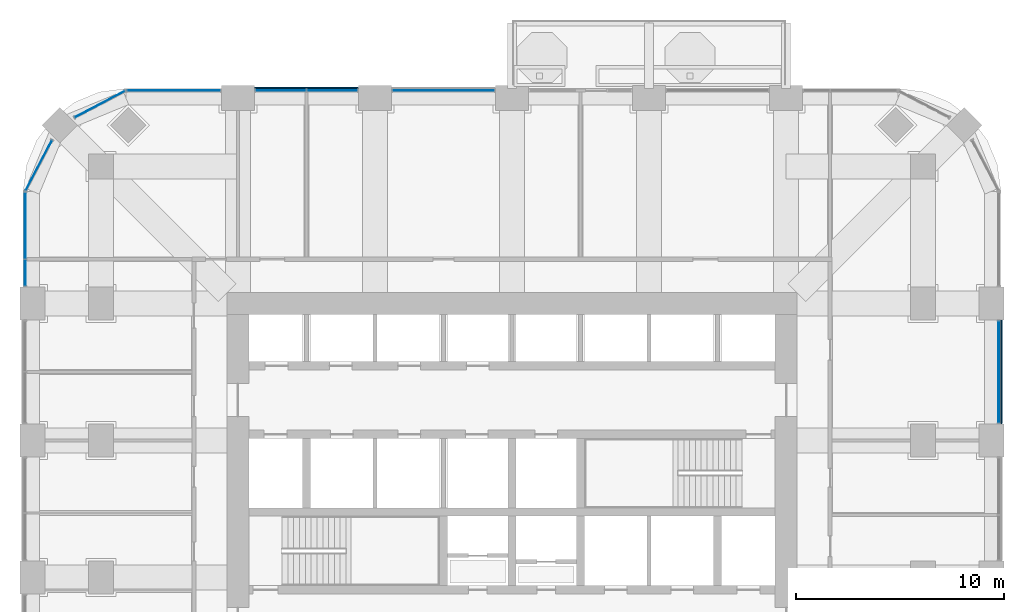
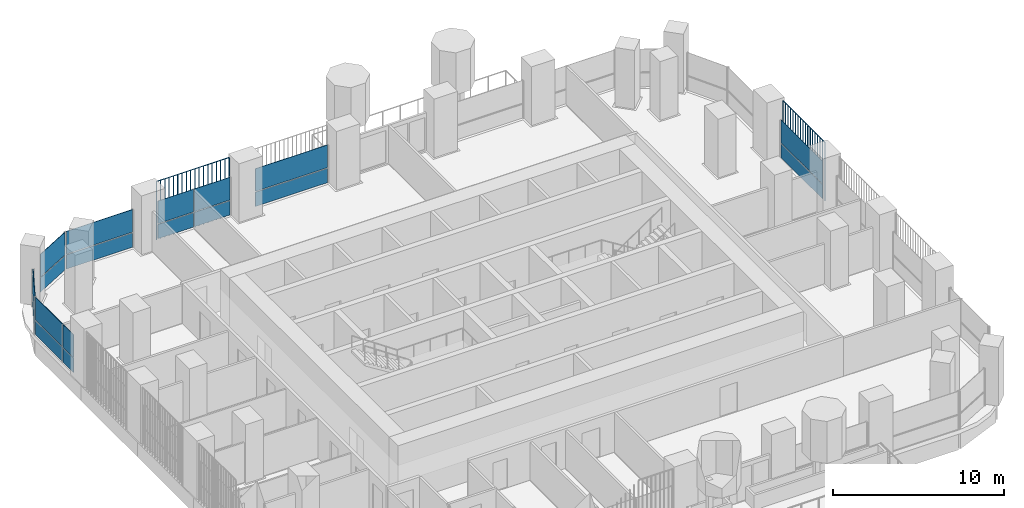
# One storey, part 11 of 19: 20 plates, 7 elements without a shape of their own.
"""IFC4 building model written with IfcOpenShell, lengths in metres."""

from ifc_helpers import new_model, si_unit, direction, frame, origin, origin_2d, place, context, subcontext, project, spatial, polyline, rectangle, outline, extrude, material, layer, layer_set, type_object, element, aggregate, save


model = new_model("IFC4")

# Units and contexts
model_context = context("Model", 3, precision=1e-05, world=origin(), true_north=direction((0.0, 1.0)))
body_context = subcontext(model_context, "Body", "Model", "MODEL_VIEW")
ifc_project = project(units=[si_unit("LENGTHUNIT", "METRE"), si_unit("AREAUNIT", "SQUARE_METRE"), si_unit("VOLUMEUNIT", "CUBIC_METRE"), si_unit("PLANEANGLEUNIT", "RADIAN"), si_unit("MASSUNIT", "GRAM", prefix="KILO")], contexts=[model_context])

# Site, building, storey
site_placement = place(None, origin())
site = spatial("IfcSite", under=ifc_project, at=site_placement, CompositionType="ELEMENT")
building_placement = place(site_placement, origin())
building = spatial("IfcBuilding", under=site, at=building_placement, Name="Cobogo Forest Laboratory Tower", CompositionType="ELEMENT")
storey_placement = place(building_placement, frame((0.0, 0.0, 164.10009765625)))
storey = spatial("IfcBuildingStorey", under=building, at=storey_placement, Name="L37", CompositionType="ELEMENT", Elevation=164.10009765625)

# Curtain wall, plates
ifc_material_1 = material(Name="Aluminium curtain wall", Category="aluminium")
curtain_wall_type = type_object("IfcCurtainWallType", Name="CW-2 unitised curtain wall, solar control glazing, laboratory floors zones C and D", PredefinedType="USERDEFINED", material=ifc_material_1)
curtain_wall_1_placement = place(storey_placement, origin())
curtain_wall_1 = element("IfcCurtainWall", 1, at=curtain_wall_1_placement, inside=storey, type_object=curtain_wall_type, Name="Curtain wall 12 L37", ObjectType="UNITISED CURTAIN WALL", PredefinedType="USERDEFINED")
ifc_material_2 = material(Name="Solar control insulated glass", Category="glass")
ifc_layer = layer(ifc_material_2, 0.031982421875)
ifc_layer_set = layer_set([ifc_layer], Name="GP-2 solar control glass unit 32")
plate_type_1 = type_object("IfcPlateType", Name="GP-2 solar control glass unit 32", PredefinedType="CURTAIN_PANEL", material=ifc_layer_set)
plate_1_placement = place(storey_placement, frame((49.85009765625, 29.699951171875, 0.0), z_axis=(0.0, 0.0, 1.0), x_axis=(0.0, 1.0, 0.0)))
plate_1 = element("IfcPlate", 2, at=plate_1_placement, type_object=plate_type_1, Name="CW-2 panel 1.1", PredefinedType="CURTAIN_PANEL", context=body_context, shape_type="SweptSolid", body=[
    extrude(rectangle(XDim=4.8798828125, YDim=0.031982421875, at=origin_2d()), origin(), (0.0, 0.0, 1.0), 1.02001953125),
])
plate_2_placement = place(storey_placement, frame((49.85009765625, 29.699951171875, 1.079833984375), z_axis=(0.0, 0.0, 1.0), x_axis=(0.0, 1.0, 0.0)))
plate_2 = element("IfcPlate", 3, at=plate_2_placement, type_object=plate_type_1, Name="CW-2 panel 1.2", PredefinedType="CURTAIN_PANEL", context=body_context, shape_type="SweptSolid", body=[
    extrude(rectangle(XDim=4.8798828125, YDim=0.031982421875, at=origin_2d()), origin(), (0.0, 0.0, 1.0), 1.6201171875),
])
aggregate(curtain_wall_1, [plate_1, plate_2])

curtain_wall_2_placement = place(storey_placement, origin())
curtain_wall_2 = element("IfcCurtainWall", 4, at=curtain_wall_2_placement, inside=storey, type_object=curtain_wall_type, Name="Curtain wall 19 L37", ObjectType="UNITISED CURTAIN WALL", PredefinedType="USERDEFINED")
plate_3_placement = place(storey_placement, frame((23.10009765625, 43.25, 0.0), z_axis=(0.0, 0.0, 1.0), x_axis=(-1.0, 0.0, 0.0)))
plate_3 = element("IfcPlate", 5, at=plate_3_placement, type_object=plate_type_1, Name="CW-2 panel 1.1", PredefinedType="CURTAIN_PANEL", context=body_context, shape_type="SweptSolid", body=[
    extrude(rectangle(XDim=4.8798828125, YDim=0.031982421875, at=origin_2d()), origin(), (0.0, 0.0, 1.0), 1.02001953125),
])
plate_4_placement = place(storey_placement, frame((23.10009765625, 43.25, 1.079833984375), z_axis=(0.0, 0.0, 1.0), x_axis=(-1.0, 0.0, 0.0)))
plate_4 = element("IfcPlate", 6, at=plate_4_placement, type_object=plate_type_1, Name="CW-2 panel 1.2", PredefinedType="CURTAIN_PANEL", context=body_context, shape_type="SweptSolid", body=[
    extrude(rectangle(XDim=4.8798828125, YDim=0.031982421875, at=origin_2d()), origin(), (0.0, 0.0, 1.0), 1.6201171875),
])
aggregate(curtain_wall_2, [plate_3, plate_4])

curtain_wall_3_placement = place(storey_placement, origin())
curtain_wall_3 = element("IfcCurtainWall", 7, at=curtain_wall_3_placement, inside=storey, type_object=curtain_wall_type, Name="Curtain wall 20 L37", ObjectType="UNITISED CURTAIN WALL", PredefinedType="USERDEFINED")
plate_5_placement = place(storey_placement, frame((17.735107421875, 43.25, 0.0), z_axis=(0.0, 0.0, 1.0), x_axis=(-1.0, 0.0, 0.0)))
plate_5 = element("IfcPlate", 8, at=plate_5_placement, type_object=plate_type_1, Name="CW-2 panel 1.1", PredefinedType="CURTAIN_PANEL", context=body_context, shape_type="SweptSolid", body=[
    extrude(rectangle(XDim=2.409912109375, YDim=0.031982421875, at=origin_2d()), origin(), (0.0, 0.0, 1.0), 1.02001953125),
])
plate_6_placement = place(storey_placement, frame((17.735107421875, 43.25, 1.079833984375), z_axis=(0.0, 0.0, 1.0), x_axis=(-1.0, 0.0, 0.0)))
plate_6 = element("IfcPlate", 9, at=plate_6_placement, type_object=plate_type_1, Name="CW-2 panel 1.2", PredefinedType="CURTAIN_PANEL", context=body_context, shape_type="SweptSolid", body=[
    extrude(rectangle(XDim=2.409912109375, YDim=0.031982421875, at=origin_2d()), origin(), (0.0, 0.0, 1.0), 1.6201171875),
])
plate_7_placement = place(storey_placement, frame((15.264892578125, 43.25, 0.0), z_axis=(0.0, 0.0, 1.0), x_axis=(-1.0, 0.0, 0.0)))
plate_7 = element("IfcPlate", 10, at=plate_7_placement, type_object=plate_type_1, Name="CW-2 panel 2.1", PredefinedType="CURTAIN_PANEL", context=body_context, shape_type="SweptSolid", body=[
    extrude(rectangle(XDim=2.409912109375, YDim=0.031982421875, at=origin_2d()), origin(), (0.0, 0.0, 1.0), 1.02001953125),
])
plate_8_placement = place(storey_placement, frame((15.264892578125, 43.25, 1.079833984375), z_axis=(0.0, 0.0, 1.0), x_axis=(-1.0, 0.0, 0.0)))
plate_8 = element("IfcPlate", 11, at=plate_8_placement, type_object=plate_type_1, Name="CW-2 panel 2.2", PredefinedType="CURTAIN_PANEL", context=body_context, shape_type="SweptSolid", body=[
    extrude(rectangle(XDim=2.409912109375, YDim=0.031982421875, at=origin_2d()), origin(), (0.0, 0.0, 1.0), 1.6201171875),
])
aggregate(curtain_wall_3, [plate_5, plate_6, plate_7, plate_8])

curtain_wall_4_placement = place(storey_placement, origin())
curtain_wall_4 = element("IfcCurtainWall", 12, at=curtain_wall_4_placement, inside=storey, type_object=curtain_wall_type, Name="Curtain wall 21 L37", ObjectType="UNITISED CURTAIN WALL", PredefinedType="USERDEFINED")
plate_9_placement = place(storey_placement, frame((10.10009765625, 43.25, 0.0), z_axis=(0.0, 0.0, 1.0), x_axis=(-1.0, 0.0, 0.0)))
plate_9 = element("IfcPlate", 13, at=plate_9_placement, type_object=plate_type_1, Name="CW-2 panel 1.1", PredefinedType="CURTAIN_PANEL", context=body_context, shape_type="SweptSolid", body=[
    extrude(rectangle(XDim=4.47998046875, YDim=0.031982421875, at=origin_2d()), origin(), (0.0, 0.0, 1.0), 1.02001953125),
])
plate_10_placement = place(storey_placement, frame((10.10009765625, 43.25, 1.079833984375), z_axis=(0.0, 0.0, 1.0), x_axis=(-1.0, 0.0, 0.0)))
plate_10 = element("IfcPlate", 14, at=plate_10_placement, type_object=plate_type_1, Name="CW-2 panel 1.2", PredefinedType="CURTAIN_PANEL", context=body_context, shape_type="SweptSolid", body=[
    extrude(rectangle(XDim=4.47998046875, YDim=0.031982421875, at=origin_2d()), origin(), (0.0, 0.0, 1.0), 1.6201171875),
])
aggregate(curtain_wall_4, [plate_9, plate_10])

curtain_wall_5_placement = place(storey_placement, origin())
curtain_wall_5 = element("IfcCurtainWall", 15, at=curtain_wall_5_placement, inside=storey, type_object=curtain_wall_type, Name="Curtain wall 22 L37", ObjectType="UNITISED CURTAIN WALL", PredefinedType="USERDEFINED")
plate_11_placement = place(storey_placement, frame((6.547607421875, 42.593505859375, 0.0), z_axis=(0.0, 0.0, 1.0), x_axis=(-0.885686477022, -0.464283818822, 0.0)))
plate_11 = element("IfcPlate", 16, at=plate_11_placement, type_object=plate_type_1, Name="CW-2 panel 1.1", PredefinedType="CURTAIN_PANEL", context=body_context, shape_type="SweptSolid", body=[
    extrude(rectangle(XDim=2.7080078125, YDim=0.031982421875, at=origin_2d()), origin(), (0.0, 0.0, 1.0), 1.02001953125),
])
plate_12_placement = place(storey_placement, frame((6.547607421875, 42.593505859375, 1.079833984375), z_axis=(0.0, 0.0, 1.0), x_axis=(-0.885686477022, -0.464283818822, 0.0)))
plate_12 = element("IfcPlate", 17, at=plate_12_placement, type_object=plate_type_1, Name="CW-2 panel 1.2", PredefinedType="CURTAIN_PANEL", context=body_context, shape_type="SweptSolid", body=[
    extrude(rectangle(XDim=2.7080078125, YDim=0.031982421875, at=origin_2d()), origin(), (0.0, 0.0, 1.0), 1.6201171875),
])
aggregate(curtain_wall_5, [plate_11, plate_12])

curtain_wall_6_placement = place(storey_placement, origin())
curtain_wall_6 = element("IfcCurtainWall", 18, at=curtain_wall_6_placement, inside=storey, type_object=curtain_wall_type, Name="Curtain wall 23 L37", ObjectType="UNITISED CURTAIN WALL", PredefinedType="USERDEFINED")
plate_13_placement = place(storey_placement, frame((3.6064453125, 39.65234375, 0.0), z_axis=(0.0, 0.0, 1.0), x_axis=(-0.464283818822, -0.885686477022, 0.0)))
plate_13 = element("IfcPlate", 19, at=plate_13_placement, type_object=plate_type_1, Name="CW-2 panel 1.1", PredefinedType="CURTAIN_PANEL", context=body_context, shape_type="SweptSolid", body=[
    extrude(rectangle(XDim=2.7080078125, YDim=0.031982421875, at=origin_2d()), origin(), (0.0, 0.0, 1.0), 1.02001953125),
])
plate_14_placement = place(storey_placement, frame((3.6064453125, 39.65234375, 1.079833984375), z_axis=(0.0, 0.0, 1.0), x_axis=(-0.464283818822, -0.885686477022, 0.0)))
plate_14 = element("IfcPlate", 20, at=plate_14_placement, type_object=plate_type_1, Name="CW-2 panel 1.2", PredefinedType="CURTAIN_PANEL", context=body_context, shape_type="SweptSolid", body=[
    extrude(rectangle(XDim=2.7080078125, YDim=0.031982421875, at=origin_2d()), origin(), (0.0, 0.0, 1.0), 1.6201171875),
])
aggregate(curtain_wall_6, [plate_13, plate_14])

curtain_wall_7_placement = place(storey_placement, origin())
curtain_wall_7 = element("IfcCurtainWall", 21, at=curtain_wall_7_placement, inside=storey, type_object=curtain_wall_type, Name="Curtain wall 24 L37", ObjectType="UNITISED CURTAIN WALL", PredefinedType="USERDEFINED")
plate_15_placement = place(storey_placement, frame((2.949951171875, 36.74755859375, 0.0), z_axis=(0.0, 0.0, 1.0), x_axis=(0.0, -1.0, 0.0)))
plate_15 = element("IfcPlate", 22, at=plate_15_placement, type_object=plate_type_1, Name="CW-2 panel 1.1", PredefinedType="CURTAIN_PANEL", context=body_context, shape_type="SweptSolid", body=[
    extrude(rectangle(XDim=3.18505859375, YDim=0.031982421875, at=origin_2d()), origin(), (0.0, 0.0, 1.0), 1.02001953125),
])
plate_16_placement = place(storey_placement, frame((2.949951171875, 36.74755859375, 1.079833984375), z_axis=(0.0, 0.0, 1.0), x_axis=(0.0, -1.0, 0.0)))
plate_16 = element("IfcPlate", 23, at=plate_16_placement, type_object=plate_type_1, Name="CW-2 panel 1.2", PredefinedType="CURTAIN_PANEL", context=body_context, shape_type="SweptSolid", body=[
    extrude(rectangle(XDim=3.18505859375, YDim=0.031982421875, at=origin_2d()), origin(), (0.0, 0.0, 1.0), 1.6201171875),
])
plate_17_placement = place(storey_placement, frame((2.949951171875, 34.4775390625, 0.0), z_axis=(0.0, 0.0, 1.0), x_axis=(0.0, -1.0, 0.0)))
plate_17 = element("IfcPlate", 24, at=plate_17_placement, type_object=plate_type_1, Name="CW-2 panel 2.1", PredefinedType="CURTAIN_PANEL", context=body_context, shape_type="SweptSolid", body=[
    extrude(rectangle(XDim=1.235107421875, YDim=0.031982421875, at=origin_2d()), origin(), (0.0, 0.0, 1.0), 1.02001953125),
])
plate_18_placement = place(storey_placement, frame((2.949951171875, 34.4775390625, 1.079833984375), z_axis=(0.0, 0.0, 1.0), x_axis=(0.0, -1.0, 0.0)))
plate_18 = element("IfcPlate", 25, at=plate_18_placement, type_object=plate_type_1, Name="CW-2 panel 2.2", PredefinedType="CURTAIN_PANEL", context=body_context, shape_type="SweptSolid", body=[
    extrude(rectangle(XDim=1.235107421875, YDim=0.031982421875, at=origin_2d()), origin(), (0.0, 0.0, 1.0), 1.6201171875),
])
aggregate(curtain_wall_7, [plate_15, plate_16, plate_17, plate_18])

# Plates
ifc_material_3 = material(Name="Terracotta", Category="masonry")
plate_type_2 = type_object("IfcPlateType", Name="TB1 terracotta baguette screen", PredefinedType="USERDEFINED", material=ifc_material_3)
plate_19_placement = place(storey_placement, frame((49.977783203125, 27.231201171875, -0.150146484375)))
element("IfcPlate", 26, at=plate_19_placement, inside=storey, type_object=plate_type_2, Name="Baguette screen E3 L37", ObjectType="BAGUETTE SCREEN", PredefinedType="USERDEFINED", context=body_context, shape_type="SweptSolid", body=[
    extrude(outline(polyline([(0.02880859375, 0.011962890625), (0.011962890625, 0.02880859375), (-0.011962890625, 0.02880859375), (-0.02880859375, 0.011962890625), (-0.02880859375, -0.011962890625), (-0.011962890625, -0.02880859375), (0.011962890625, -0.02880859375), (0.02880859375, -0.011962890625), (0.02880859375, 0.011962890625)])), frame((0.0, 0.0, 4.168701171875), z_axis=(0.0, 1.0, 0.0), x_axis=(-1.0, 0.0, 0.0)), (0.0, 0.0, 1.0), 4.9375),
    extrude(outline(polyline([(0.02880859375, 0.011962890625), (0.011962890625, 0.02880859375), (-0.011962890625, 0.02880859375), (-0.02880859375, 0.011962890625), (-0.02880859375, -0.011962890625), (-0.011962890625, -0.02880859375), (0.011962890625, -0.02880859375), (0.02880859375, -0.011962890625), (0.02880859375, 0.011962890625)])), origin(), (0.0, 0.0, 1.0), 4.137451171875),
    extrude(outline(polyline([(0.02880859375, 0.011962890625), (0.011962890625, 0.02880859375), (-0.011962890625, 0.02880859375), (-0.02880859375, 0.011962890625), (-0.02880859375, -0.011962890625), (-0.011962890625, -0.02880859375), (0.011962890625, -0.02880859375), (0.02880859375, -0.011962890625), (0.02880859375, 0.011962890625)])), frame((0.0, 0.29052734375, 0.0)), (0.0, 0.0, 1.0), 4.137451171875),
    extrude(outline(polyline([(0.02880859375, 0.011962890625), (0.011962890625, 0.02880859375), (-0.011962890625, 0.02880859375), (-0.02880859375, 0.011962890625), (-0.02880859375, -0.011962890625), (-0.011962890625, -0.02880859375), (0.011962890625, -0.02880859375), (0.02880859375, -0.011962890625), (0.02880859375, 0.011962890625)])), frame((0.0, 0.580810546875, 0.0)), (0.0, 0.0, 1.0), 4.137451171875),
    extrude(outline(polyline([(0.02880859375, 0.011962890625), (0.011962890625, 0.02880859375), (-0.011962890625, 0.02880859375), (-0.02880859375, 0.011962890625), (-0.02880859375, -0.011962890625), (-0.011962890625, -0.02880859375), (0.011962890625, -0.02880859375), (0.02880859375, -0.011962890625), (0.02880859375, 0.011962890625)])), frame((0.0, 0.871337890625, 0.0)), (0.0, 0.0, 1.0), 4.137451171875),
    extrude(outline(polyline([(0.02880859375, 0.011962890625), (0.011962890625, 0.02880859375), (-0.011962890625, 0.02880859375), (-0.02880859375, 0.011962890625), (-0.02880859375, -0.011962890625), (-0.011962890625, -0.02880859375), (0.011962890625, -0.02880859375), (0.02880859375, -0.011962890625), (0.02880859375, 0.011962890625)])), frame((0.0, 1.161865234375, 0.0)), (0.0, 0.0, 1.0), 4.137451171875),
    extrude(outline(polyline([(0.02880859375, 0.011962890625), (0.011962890625, 0.02880859375), (-0.011962890625, 0.02880859375), (-0.02880859375, 0.011962890625), (-0.02880859375, -0.011962890625), (-0.011962890625, -0.02880859375), (0.011962890625, -0.02880859375), (0.02880859375, -0.011962890625), (0.02880859375, 0.011962890625)])), frame((0.0, 1.4521484375, 0.0)), (0.0, 0.0, 1.0), 4.137451171875),
    extrude(outline(polyline([(0.02880859375, 0.011962890625), (0.011962890625, 0.02880859375), (-0.011962890625, 0.02880859375), (-0.02880859375, 0.011962890625), (-0.02880859375, -0.011962890625), (-0.011962890625, -0.02880859375), (0.011962890625, -0.02880859375), (0.02880859375, -0.011962890625), (0.02880859375, 0.011962890625)])), frame((0.0, 1.74267578125, 0.0)), (0.0, 0.0, 1.0), 4.137451171875),
    extrude(outline(polyline([(0.02880859375, 0.011962890625), (0.011962890625, 0.02880859375), (-0.011962890625, 0.02880859375), (-0.02880859375, 0.011962890625), (-0.02880859375, -0.011962890625), (-0.011962890625, -0.02880859375), (0.011962890625, -0.02880859375), (0.02880859375, -0.011962890625), (0.02880859375, 0.011962890625)])), frame((0.0, 2.033203125, 0.0)), (0.0, 0.0, 1.0), 4.137451171875),
    extrude(outline(polyline([(0.02880859375, 0.011962890625), (0.011962890625, 0.02880859375), (-0.011962890625, 0.02880859375), (-0.02880859375, 0.011962890625), (-0.02880859375, -0.011962890625), (-0.011962890625, -0.02880859375), (0.011962890625, -0.02880859375), (0.02880859375, -0.011962890625), (0.02880859375, 0.011962890625)])), frame((0.0, 2.323486328125, 0.0)), (0.0, 0.0, 1.0), 4.137451171875),
    extrude(outline(polyline([(0.02880859375, 0.011962890625), (0.011962890625, 0.02880859375), (-0.011962890625, 0.02880859375), (-0.02880859375, 0.011962890625), (-0.02880859375, -0.011962890625), (-0.011962890625, -0.02880859375), (0.011962890625, -0.02880859375), (0.02880859375, -0.011962890625), (0.02880859375, 0.011962890625)])), frame((0.0, 2.614013671875, 0.0)), (0.0, 0.0, 1.0), 4.137451171875),
    extrude(outline(polyline([(0.02880859375, 0.011962890625), (0.011962890625, 0.02880859375), (-0.011962890625, 0.02880859375), (-0.02880859375, 0.011962890625), (-0.02880859375, -0.011962890625), (-0.011962890625, -0.02880859375), (0.011962890625, -0.02880859375), (0.02880859375, -0.011962890625), (0.02880859375, 0.011962890625)])), frame((0.0, 2.904296875, 0.0)), (0.0, 0.0, 1.0), 4.137451171875),
    extrude(outline(polyline([(0.02880859375, 0.011962890625), (0.011962890625, 0.02880859375), (-0.011962890625, 0.02880859375), (-0.02880859375, 0.011962890625), (-0.02880859375, -0.011962890625), (-0.011962890625, -0.02880859375), (0.011962890625, -0.02880859375), (0.02880859375, -0.011962890625), (0.02880859375, 0.011962890625)])), frame((0.0, 3.19482421875, 0.0)), (0.0, 0.0, 1.0), 4.137451171875),
    extrude(outline(polyline([(0.02880859375, 0.011962890625), (0.011962890625, 0.02880859375), (-0.011962890625, 0.02880859375), (-0.02880859375, 0.011962890625), (-0.02880859375, -0.011962890625), (-0.011962890625, -0.02880859375), (0.011962890625, -0.02880859375), (0.02880859375, -0.011962890625), (0.02880859375, 0.011962890625)])), frame((0.0, 3.4853515625, 0.0)), (0.0, 0.0, 1.0), 4.137451171875),
    extrude(outline(polyline([(0.02880859375, 0.011962890625), (0.011962890625, 0.02880859375), (-0.011962890625, 0.02880859375), (-0.02880859375, 0.011962890625), (-0.02880859375, -0.011962890625), (-0.011962890625, -0.02880859375), (0.011962890625, -0.02880859375), (0.02880859375, -0.011962890625), (0.02880859375, 0.011962890625)])), frame((0.0, 3.775634765625, 0.0)), (0.0, 0.0, 1.0), 4.137451171875),
    extrude(outline(polyline([(0.02880859375, 0.011962890625), (0.011962890625, 0.02880859375), (-0.011962890625, 0.02880859375), (-0.02880859375, 0.011962890625), (-0.02880859375, -0.011962890625), (-0.011962890625, -0.02880859375), (0.011962890625, -0.02880859375), (0.02880859375, -0.011962890625), (0.02880859375, 0.011962890625)])), frame((0.0, 4.066162109375, 0.0)), (0.0, 0.0, 1.0), 4.137451171875),
    extrude(outline(polyline([(0.02880859375, 0.011962890625), (0.011962890625, 0.02880859375), (-0.011962890625, 0.02880859375), (-0.02880859375, 0.011962890625), (-0.02880859375, -0.011962890625), (-0.011962890625, -0.02880859375), (0.011962890625, -0.02880859375), (0.02880859375, -0.011962890625), (0.02880859375, 0.011962890625)])), frame((0.0, 4.356689453125, 0.0)), (0.0, 0.0, 1.0), 4.137451171875),
    extrude(outline(polyline([(0.02880859375, 0.011962890625), (0.011962890625, 0.02880859375), (-0.011962890625, 0.02880859375), (-0.02880859375, 0.011962890625), (-0.02880859375, -0.011962890625), (-0.011962890625, -0.02880859375), (0.011962890625, -0.02880859375), (0.02880859375, -0.011962890625), (0.02880859375, 0.011962890625)])), frame((0.0, 4.64697265625, 0.0)), (0.0, 0.0, 1.0), 4.137451171875),
    extrude(outline(polyline([(0.02880859375, 0.011962890625), (0.011962890625, 0.02880859375), (-0.011962890625, 0.02880859375), (-0.02880859375, 0.011962890625), (-0.02880859375, -0.011962890625), (-0.011962890625, -0.02880859375), (0.011962890625, -0.02880859375), (0.02880859375, -0.011962890625), (0.02880859375, 0.011962890625)])), frame((0.0, 4.9375, 0.0)), (0.0, 0.0, 1.0), 4.137451171875),
])
plate_20_placement = place(storey_placement, frame((14.03125, 43.3779296875, -0.150146484375)))
element("IfcPlate", 27, at=plate_20_placement, inside=storey, type_object=plate_type_2, Name="Baguette screen N1 L37", ObjectType="BAGUETTE SCREEN", PredefinedType="USERDEFINED", context=body_context, shape_type="SweptSolid", body=[
    extrude(outline(polyline([(0.02880859375, 0.011962890625), (0.011962890625, 0.02880859375), (-0.011962890625, 0.02880859375), (-0.02880859375, 0.011962890625), (-0.02880859375, -0.011962890625), (-0.011962890625, -0.02880859375), (0.011962890625, -0.02880859375), (0.02880859375, -0.011962890625), (0.02880859375, 0.011962890625)])), frame((0.0, 0.0, 4.168701171875), z_axis=(1.0, 0.0, 0.0), x_axis=(0.0, 1.0, 0.0)), (0.0, 0.0, 1.0), 4.9375),
    extrude(outline(polyline([(0.02880859375, 0.011962890625), (0.011962890625, 0.02880859375), (-0.011962890625, 0.02880859375), (-0.02880859375, 0.011962890625), (-0.02880859375, -0.011962890625), (-0.011962890625, -0.02880859375), (0.011962890625, -0.02880859375), (0.02880859375, -0.011962890625), (0.02880859375, 0.011962890625)])), origin(), (0.0, 0.0, 1.0), 4.137451171875),
    extrude(outline(polyline([(0.02880859375, 0.011962890625), (0.011962890625, 0.02880859375), (-0.011962890625, 0.02880859375), (-0.02880859375, 0.011962890625), (-0.02880859375, -0.011962890625), (-0.011962890625, -0.02880859375), (0.011962890625, -0.02880859375), (0.02880859375, -0.011962890625), (0.02880859375, 0.011962890625)])), frame((0.29052734375, 0.0, 0.0)), (0.0, 0.0, 1.0), 4.137451171875),
    extrude(outline(polyline([(0.02880859375, 0.011962890625), (0.011962890625, 0.02880859375), (-0.011962890625, 0.02880859375), (-0.02880859375, 0.011962890625), (-0.02880859375, -0.011962890625), (-0.011962890625, -0.02880859375), (0.011962890625, -0.02880859375), (0.02880859375, -0.011962890625), (0.02880859375, 0.011962890625)])), frame((0.580810546875, 0.0, 0.0)), (0.0, 0.0, 1.0), 4.137451171875),
    extrude(outline(polyline([(0.02880859375, 0.011962890625), (0.011962890625, 0.02880859375), (-0.011962890625, 0.02880859375), (-0.02880859375, 0.011962890625), (-0.02880859375, -0.011962890625), (-0.011962890625, -0.02880859375), (0.011962890625, -0.02880859375), (0.02880859375, -0.011962890625), (0.02880859375, 0.011962890625)])), frame((0.871337890625, 0.0, 0.0)), (0.0, 0.0, 1.0), 4.137451171875),
    extrude(outline(polyline([(0.02880859375, 0.011962890625), (0.011962890625, 0.02880859375), (-0.011962890625, 0.02880859375), (-0.02880859375, 0.011962890625), (-0.02880859375, -0.011962890625), (-0.011962890625, -0.02880859375), (0.011962890625, -0.02880859375), (0.02880859375, -0.011962890625), (0.02880859375, 0.011962890625)])), frame((1.161865234375, 0.0, 0.0)), (0.0, 0.0, 1.0), 4.137451171875),
    extrude(outline(polyline([(0.02880859375, 0.011962890625), (0.011962890625, 0.02880859375), (-0.011962890625, 0.02880859375), (-0.02880859375, 0.011962890625), (-0.02880859375, -0.011962890625), (-0.011962890625, -0.02880859375), (0.011962890625, -0.02880859375), (0.02880859375, -0.011962890625), (0.02880859375, 0.011962890625)])), frame((1.4521484375, 0.0, 0.0)), (0.0, 0.0, 1.0), 4.137451171875),
    extrude(outline(polyline([(0.02880859375, 0.011962890625), (0.011962890625, 0.02880859375), (-0.011962890625, 0.02880859375), (-0.02880859375, 0.011962890625), (-0.02880859375, -0.011962890625), (-0.011962890625, -0.02880859375), (0.011962890625, -0.02880859375), (0.02880859375, -0.011962890625), (0.02880859375, 0.011962890625)])), frame((1.74267578125, 0.0, 0.0)), (0.0, 0.0, 1.0), 4.137451171875),
    extrude(outline(polyline([(0.02880859375, 0.011962890625), (0.011962890625, 0.02880859375), (-0.011962890625, 0.02880859375), (-0.02880859375, 0.011962890625), (-0.02880859375, -0.011962890625), (-0.011962890625, -0.02880859375), (0.011962890625, -0.02880859375), (0.02880859375, -0.011962890625), (0.02880859375, 0.011962890625)])), frame((2.033203125, 0.0, 0.0)), (0.0, 0.0, 1.0), 4.137451171875),
    extrude(outline(polyline([(0.02880859375, 0.011962890625), (0.011962890625, 0.02880859375), (-0.011962890625, 0.02880859375), (-0.02880859375, 0.011962890625), (-0.02880859375, -0.011962890625), (-0.011962890625, -0.02880859375), (0.011962890625, -0.02880859375), (0.02880859375, -0.011962890625), (0.02880859375, 0.011962890625)])), frame((2.323486328125, 0.0, 0.0)), (0.0, 0.0, 1.0), 4.137451171875),
    extrude(outline(polyline([(0.02880859375, 0.011962890625), (0.011962890625, 0.02880859375), (-0.011962890625, 0.02880859375), (-0.02880859375, 0.011962890625), (-0.02880859375, -0.011962890625), (-0.011962890625, -0.02880859375), (0.011962890625, -0.02880859375), (0.02880859375, -0.011962890625), (0.02880859375, 0.011962890625)])), frame((2.614013671875, 0.0, 0.0)), (0.0, 0.0, 1.0), 4.137451171875),
    extrude(outline(polyline([(0.02880859375, 0.011962890625), (0.011962890625, 0.02880859375), (-0.011962890625, 0.02880859375), (-0.02880859375, 0.011962890625), (-0.02880859375, -0.011962890625), (-0.011962890625, -0.02880859375), (0.011962890625, -0.02880859375), (0.02880859375, -0.011962890625), (0.02880859375, 0.011962890625)])), frame((2.904296875, 0.0, 0.0)), (0.0, 0.0, 1.0), 4.137451171875),
    extrude(outline(polyline([(0.02880859375, 0.011962890625), (0.011962890625, 0.02880859375), (-0.011962890625, 0.02880859375), (-0.02880859375, 0.011962890625), (-0.02880859375, -0.011962890625), (-0.011962890625, -0.02880859375), (0.011962890625, -0.02880859375), (0.02880859375, -0.011962890625), (0.02880859375, 0.011962890625)])), frame((3.19482421875, 0.0, 0.0)), (0.0, 0.0, 1.0), 4.137451171875),
    extrude(outline(polyline([(0.02880859375, 0.011962890625), (0.011962890625, 0.02880859375), (-0.011962890625, 0.02880859375), (-0.02880859375, 0.011962890625), (-0.02880859375, -0.011962890625), (-0.011962890625, -0.02880859375), (0.011962890625, -0.02880859375), (0.02880859375, -0.011962890625), (0.02880859375, 0.011962890625)])), frame((3.4853515625, 0.0, 0.0)), (0.0, 0.0, 1.0), 4.137451171875),
    extrude(outline(polyline([(0.02880859375, 0.011962890625), (0.011962890625, 0.02880859375), (-0.011962890625, 0.02880859375), (-0.02880859375, 0.011962890625), (-0.02880859375, -0.011962890625), (-0.011962890625, -0.02880859375), (0.011962890625, -0.02880859375), (0.02880859375, -0.011962890625), (0.02880859375, 0.011962890625)])), frame((3.775634765625, 0.0, 0.0)), (0.0, 0.0, 1.0), 4.137451171875),
    extrude(outline(polyline([(0.02880859375, 0.011962890625), (0.011962890625, 0.02880859375), (-0.011962890625, 0.02880859375), (-0.02880859375, 0.011962890625), (-0.02880859375, -0.011962890625), (-0.011962890625, -0.02880859375), (0.011962890625, -0.02880859375), (0.02880859375, -0.011962890625), (0.02880859375, 0.011962890625)])), frame((4.066162109375, 0.0, 0.0)), (0.0, 0.0, 1.0), 4.137451171875),
    extrude(outline(polyline([(0.02880859375, 0.011962890625), (0.011962890625, 0.02880859375), (-0.011962890625, 0.02880859375), (-0.02880859375, 0.011962890625), (-0.02880859375, -0.011962890625), (-0.011962890625, -0.02880859375), (0.011962890625, -0.02880859375), (0.02880859375, -0.011962890625), (0.02880859375, 0.011962890625)])), frame((4.356689453125, 0.0, 0.0)), (0.0, 0.0, 1.0), 4.137451171875),
    extrude(outline(polyline([(0.02880859375, 0.011962890625), (0.011962890625, 0.02880859375), (-0.011962890625, 0.02880859375), (-0.02880859375, 0.011962890625), (-0.02880859375, -0.011962890625), (-0.011962890625, -0.02880859375), (0.011962890625, -0.02880859375), (0.02880859375, -0.011962890625), (0.02880859375, 0.011962890625)])), frame((4.64697265625, 0.0, 0.0)), (0.0, 0.0, 1.0), 4.137451171875),
    extrude(outline(polyline([(0.02880859375, 0.011962890625), (0.011962890625, 0.02880859375), (-0.011962890625, 0.02880859375), (-0.02880859375, 0.011962890625), (-0.02880859375, -0.011962890625), (-0.011962890625, -0.02880859375), (0.011962890625, -0.02880859375), (0.02880859375, -0.011962890625), (0.02880859375, 0.011962890625)])), frame((4.9375, 0.0, 0.0)), (0.0, 0.0, 1.0), 4.137451171875),
])

save(model, "model.ifc")
